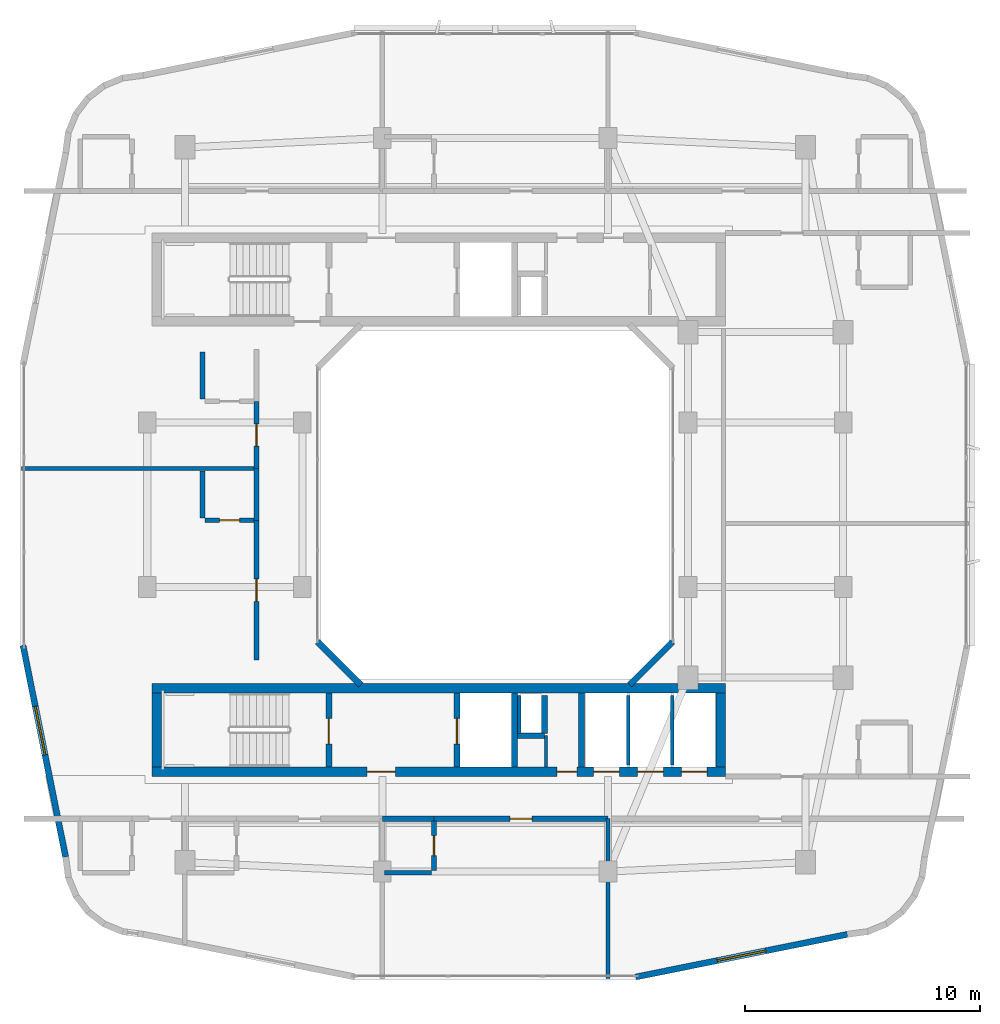
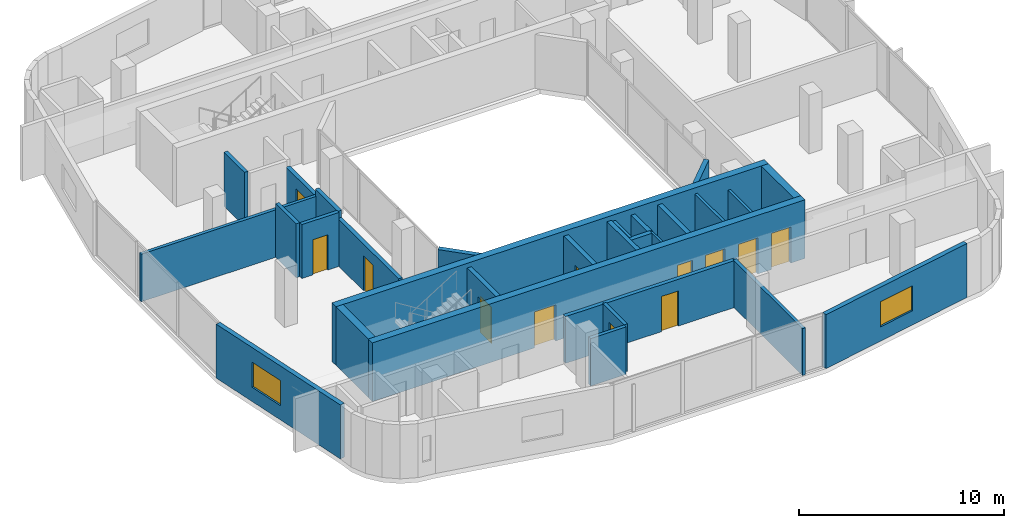
# One storey, part 7 of 14: 30 walls, 12 doors, 2 windows, 14 openings.
"""IFC4 building model written with IfcOpenShell, lengths in metres."""

import ifcopenshell
import ifcopenshell.guid

model = None  # the IFC model being written
_history = None  # IfcOwnerHistory: only IFC2X3 demands one
_inside = {}  # id of a spatial element -> (the spatial element, [elements in it])
_under = {}  # id of a project, library or spatial element -> (it, [spatial elements below it])
_declared = {}  # id of a project -> (the project, [libraries it declares])
_typed = {}  # id of a type object -> (the type object, [elements of that type])
_made_of = {}  # id of a material, layer set ... -> (it, [elements and type objects made of it])


def new_model(schema):
    """Start an empty IFC model of exactly this schema.

    Asked for "IFC4X3", IfcOpenShell would pick the latest addendum, in which some entities
    have other attributes; the version numbers below select the first issue.
    IFC2X3 requires an IfcOwnerHistory on every rooted entity: one is made here for all.
    """
    global model, _history
    if schema == "IFC4X3":
        model = ifcopenshell.file(schema_version=(4, 3, 0, 0))
    else:
        model = ifcopenshell.file(schema=schema)
    _inside.clear()
    _under.clear()
    _declared.clear()
    _typed.clear()
    _made_of.clear()
    _history = None
    if model.schema == "IFC2X3":
        org = make("IfcOrganization", Name="unknown")
        user = make(
            "IfcPersonAndOrganization",
            ThePerson=make("IfcPerson", FamilyName="unknown"),
            TheOrganization=org,
        )
        app = make(
            "IfcApplication",
            ApplicationDeveloper=org,
            Version="unknown",
            ApplicationFullName="unknown",
            ApplicationIdentifier="unknown",
        )
        _history = make(
            "IfcOwnerHistory",
            OwningUser=user,
            OwningApplication=app,
            ChangeAction="ADDED",
            CreationDate=0,
        )
    return model


def make(cls, **values):
    """One entity of the class cls with the attributes given. An attribute that is None is left unset."""
    return model.create_entity(
        cls, **{name: value for name, value in values.items() if value is not None}
    )


def rooted(cls, **values):
    """An entity with a GlobalId (a new one), such as an element, a storey or a relation."""
    return make(cls, GlobalId=ifcopenshell.guid.new(), OwnerHistory=_history, **values)


def si_unit(unit_type, name, prefix=None):
    """IfcSIUnit, for example si_unit("LENGTHUNIT", "METRE", prefix="MILLI")."""
    return make("IfcSIUnit", UnitType=unit_type, Prefix=prefix, Name=name)


def derived_unit(unit_type, elements):
    """IfcDerivedUnit: a product of units, each with its exponent."""
    return make(
        "IfcDerivedUnit",
        Elements=[
            make("IfcDerivedUnitElement", Unit=unit, Exponent=power)
            for unit, power in elements
        ],
        UnitType=unit_type,
    )


def assignment(units):
    """IfcUnitAssignment: the units of a project."""
    return None if units is None else make("IfcUnitAssignment", Units=units)


def point(xyz):
    """IfcCartesianPoint."""
    return None if xyz is None else make("IfcCartesianPoint", Coordinates=xyz)


def direction(xyz):
    """IfcDirection."""
    return None if xyz is None else make("IfcDirection", DirectionRatios=xyz)


def frame(location, z_axis=None, x_axis=None):
    """IfcAxis2Placement3D, a coordinate frame: its origin and axes. An axis left out is left unset."""
    return make(
        "IfcAxis2Placement3D",
        Location=point(location),
        Axis=direction(z_axis),
        RefDirection=direction(x_axis),
    )


def frame_2d(location, x_axis=None):
    """IfcAxis2Placement2D, a coordinate frame in the plane: its origin and x axis."""
    return make(
        "IfcAxis2Placement2D", Location=point(location), RefDirection=direction(x_axis)
    )


def origin():
    """The frame at (0, 0, 0) with its axes left unset."""
    return frame((0.0, 0.0, 0.0))


def place(relative_to, where):
    """IfcLocalPlacement: puts the frame where relative to a parent placement (None: the world)."""
    return make(
        "IfcLocalPlacement", PlacementRelTo=relative_to, RelativePlacement=where
    )


def context(
    kind, dimensions, precision=None, world=None, true_north=None, identifier=None
):
    """IfcGeometricRepresentationContext, for example the 3D "Model" context."""
    return make(
        "IfcGeometricRepresentationContext",
        ContextIdentifier=identifier,
        ContextType=kind,
        CoordinateSpaceDimension=dimensions,
        Precision=precision,
        WorldCoordinateSystem=world,
        TrueNorth=true_north,
    )


def subcontext(parent, identifier, kind, view, scale=None):
    """IfcGeometricRepresentationSubContext, for example "Body" below "Model"."""
    return make(
        "IfcGeometricRepresentationSubContext",
        ContextIdentifier=identifier,
        ContextType=kind,
        ParentContext=parent,
        TargetScale=scale,
        TargetView=view,
    )


def project(units=None, contexts=None):
    """IfcProject with its units and contexts."""
    return rooted(
        "IfcProject",
        Name="project",
        RepresentationContexts=contexts,
        UnitsInContext=assignment(units),
    )


def spatial(cls, under=None, at=None, **own):
    """A site, building, storey or space (cls), placed at a placement, below another one or the project."""
    s = rooted(cls, ObjectPlacement=at, **own)
    if under is not None:
        _under.setdefault(under.id(), (under, []))[1].append(s)
    return s


def profile(cls, at=None, kind="AREA", **sizes):
    """A parametric profile (cls). Its sizes go by their IFC names, for example OverallWidth=200.0."""
    return make(cls, ProfileType=kind, Position=at, **sizes)


def rectangle(**sizes):
    """IfcRectangleProfileDef."""
    return profile("IfcRectangleProfileDef", **sizes)


def extrude(swept, where, along, depth):
    """IfcExtrudedAreaSolid: the profile swept, set in the frame where, extruded along a direction by depth."""
    return make(
        "IfcExtrudedAreaSolid",
        SweptArea=swept,
        Position=where,
        ExtrudedDirection=direction(along),
        Depth=depth,
    )


def shape(context_of_items, identifier, shape_type, items):
    """IfcShapeRepresentation: the items that make up one representation, for example the "Body"."""
    return make(
        "IfcShapeRepresentation",
        ContextOfItems=context_of_items,
        RepresentationIdentifier=identifier,
        RepresentationType=shape_type,
        Items=items,
    )


def material(Name=None, Category=None):
    """IfcMaterial."""
    return make("IfcMaterial", Name=Name, Category=Category)


def layer(
    of_material, thickness, ventilated=None, Name=None, Category=None, Priority=None
):
    """IfcMaterialLayer: one layer of a wall or slab, of a material (None: an air gap)."""
    return make(
        "IfcMaterialLayer",
        Material=of_material,
        LayerThickness=thickness,
        IsVentilated=ventilated,
        Name=Name,
        Category=Category,
        Priority=Priority,
    )


def layer_set(layers, Name=None):
    """IfcMaterialLayerSet."""
    return make("IfcMaterialLayerSet", MaterialLayers=layers, LayerSetName=Name)


def made_of(thing, what):
    """Note that an element or type object is made of a material, layer set ...; save() writes the relation."""
    if what is not None:
        _made_of.setdefault(what.id(), (what, []))[1].append(thing)
    return thing


def type_object(cls, material=None, **own):
    """A type object (cls), such as IfcWallType, which elements share."""
    return made_of(rooted(cls, **own), material)


def element(
    cls,
    number,
    at=None,
    inside=None,
    cuts=None,
    type_object=None,
    material=None,
    context=None,
    identifier="Body",
    shape_type=None,
    held_by="IfcProductDefinitionShape",
    body=None,
    shapes=None,
    **own,
):
    """One element of the class cls, such as IfcWall. Its Tag is "e" and its number.

    at: its placement. inside: the storey or other place that contains it. cuts: it is an
    opening in that element (IfcRelVoidsElement). A single representation is given by context,
    identifier, shape_type and body (its items); several are given by shapes. held_by: the class
    of the entity that holds the representations. save() writes the other relations.
    """
    e = rooted(cls, Tag="e%d" % number, ObjectPlacement=at, **own)
    if body is not None:
        shapes = [shape(context, identifier, shape_type, body)]
    if shapes is not None:
        e.Representation = make(held_by, Representations=shapes)
    if inside is not None:
        _inside.setdefault(inside.id(), (inside, []))[1].append(e)
    if cuts is not None:
        rooted(
            "IfcRelVoidsElement", RelatingBuildingElement=cuts, RelatedOpeningElement=e
        )
    if type_object is not None:
        _typed.setdefault(type_object.id(), (type_object, []))[1].append(e)
    return made_of(e, material)


def fill(opening, filler):
    """IfcRelFillsElement: the door or window that sits in an opening."""
    return rooted(
        "IfcRelFillsElement",
        RelatingOpeningElement=opening,
        RelatedBuildingElement=filler,
    )


def aggregate(whole, parts):
    """IfcRelAggregates: a whole, such as a stair, and the parts it consists of."""
    return rooted("IfcRelAggregates", RelatingObject=whole, RelatedObjects=parts)


def save(model, path):
    """Write the relations noted so far, then the file.

    IfcRelAggregates (storeys below a building ...), IfcRelContainedInSpatialStructure (elements
    in a storey), IfcRelDefinesByType, IfcRelAssociatesMaterial and IfcRelDeclares: one each for
    every whole, place, type object, material and project.
    """
    for whole, parts in _under.values():
        aggregate(whole, parts)
    for where, things in _inside.values():
        rooted(
            "IfcRelContainedInSpatialStructure",
            RelatedElements=things,
            RelatingStructure=where,
        )
    for kind, things in _typed.values():
        rooted("IfcRelDefinesByType", RelatedObjects=things, RelatingType=kind)
    for what, things in _made_of.values():
        rooted("IfcRelAssociatesMaterial", RelatedObjects=things, RelatingMaterial=what)
    for by, libraries in _declared.values():
        rooted("IfcRelDeclares", RelatingContext=by, RelatedDefinitions=libraries)
    model.write(path)


model = new_model("IFC4")

# Units and contexts
model_context = context("Model", 3, precision=1e-05, world=origin(), true_north=direction((0.0, 1.0)))
body_context = subcontext(model_context, "Body", "Model", "MODEL_VIEW")
ifc_project = project(units=[si_unit("LENGTHUNIT", "METRE"), si_unit("AREAUNIT", "SQUARE_METRE"), si_unit("VOLUMEUNIT", "CUBIC_METRE"), si_unit("PLANEANGLEUNIT", "RADIAN"), si_unit("MASSUNIT", "GRAM", prefix="KILO"), derived_unit("THERMALTRANSMITTANCEUNIT", [(si_unit("POWERUNIT", "WATT"), 1), (si_unit("LENGTHUNIT", "METRE"), -2), (si_unit("THERMODYNAMICTEMPERATUREUNIT", "KELVIN"), -1)])], contexts=[model_context])

# Site, building, storey
site_placement = place(None, origin())
site = spatial("IfcSite", under=ifc_project, at=site_placement, CompositionType="ELEMENT")
building_placement = place(site_placement, origin())
building = spatial("IfcBuilding", under=site, at=building_placement, Name="Kivonza Crest Hotel", CompositionType="ELEMENT")
storey_placement = place(building_placement, frame((0.0, 0.0, 145.0)))
storey = spatial("IfcBuildingStorey", under=building, at=storey_placement, Name="L39", CompositionType="ELEMENT", Elevation=145.0)

# Walls
ifc_material_1 = material(Name="High-density acoustic masonry inter-tenancy wall", Category="masonry")
ifc_layer_1 = layer(ifc_material_1, 0.179931640625)
ifc_layer_set_1 = layer_set([ifc_layer_1], Name="High-density acoustic masonry inter-tenancy wall")
wall_type_1 = type_object("IfcWallType", Name="WL-ACOU-180", PredefinedType="SOLIDWALL", material=ifc_layer_set_1)
wall_1_placement = place(storey_placement, frame((25.800048828125, 4.860107421875, 0.0), z_axis=(0.0, 0.0, 1.0), x_axis=(0.0, 1.0, 0.0)))
element("IfcWall", 1, at=wall_1_placement, inside=storey, type_object=wall_type_1, Name="L39 interior partition WA-L39-T1S-DIV3", PredefinedType="SOLIDWALL", context=body_context, shape_type="SweptSolid", body=[
    extrude(rectangle(XDim=6.789794921875, YDim=0.179931640625, at=frame_2d((3.39501953125, 0.0))), origin(), (0.0, 0.0, 1.0), 2.794921875),
])
wall_2_placement = place(storey_placement, frame((0.860107421875, 26.5400390625, 0.0), z_axis=(0.0, 0.0, 1.0), x_axis=(1.0, 0.0, 0.0)))
element("IfcWall", 2, at=wall_2_placement, inside=storey, type_object=wall_type_1, Name="L39 interior partition WA-L39-T1W-DIV1", PredefinedType="SOLIDWALL", context=body_context, shape_type="SweptSolid", body=[
    extrude(rectangle(XDim=9.989990234375, YDim=0.179931640625, at=frame_2d((4.9951171875, 0.0))), origin(), (0.0, 0.0, 1.0), 2.8349609375),
])
ifc_material_2 = material(Name="Autoclaved aerated concrete blockwork", Category="masonry")
ifc_layer_2 = layer(ifc_material_2, 0.219970703125)
ifc_layer_set_2 = layer_set([ifc_layer_2], Name="Autoclaved aerated concrete blockwork")
wall_type_2 = type_object("IfcWallType", Name="WL-ACOU-220", PredefinedType="SOLIDWALL", material=ifc_layer_set_2)
wall_3_placement = place(storey_placement, frame((16.199951171875, 11.64990234375, 0.0), z_axis=(0.0, 0.0, 1.0), x_axis=(1.0, 0.0, 0.0)))
element("IfcWall", 3, at=wall_3_placement, inside=storey, type_object=wall_type_2, Name="L39 interior partition WA-L39-S06-BCORR", PredefinedType="SOLIDWALL", context=body_context, shape_type="SweptSolid", body=[
    extrude(rectangle(XDim=2.199951171875, YDim=0.219970703125, at=frame_2d((1.10009765625, 0.0))), origin(), (0.0, 0.0, 1.0), 2.794921875),
])

# Wall, opening, door
wall_4_placement = place(storey_placement, frame((18.39990234375, 11.64990234375, 0.0), z_axis=(0.0, 0.0, 1.0), x_axis=(1.0, 0.0, 0.0)))
wall_4 = element("IfcWall", 4, at=wall_4_placement, inside=storey, type_object=wall_type_2, Name="L39 interior partition WA-L39-S06-MCORR", PredefinedType="SOLIDWALL", context=body_context, shape_type="SweptSolid", body=[
    extrude(rectangle(XDim=7.400146484375, YDim=0.219970703125, at=frame_2d((3.7001953125, 0.0))), origin(), (0.0, 0.0, 1.0), 2.794921875),
])
opening_1_placement = place(wall_4_placement, frame((3.22509765625, 0.0, 0.0)))
opening_1 = element("IfcOpeningElement", 5, at=opening_1_placement, cuts=wall_4, Name="Opening DU-60", PredefinedType="OPENING", context=body_context, shape_type="SweptSolid", body=[
    extrude(rectangle(XDim=0.949951171875, YDim=2.10009765625, at=frame_2d((0.47509765625, 1.050048828125))), frame((0.0, 0.1201171875, 0.0), z_axis=(0.0, -1.0, 0.0), x_axis=(1.0, 0.0, 0.0)), (0.0, 0.0, 1.0), 0.239990234375),
])
ifc_material_3 = material(Name="Hardwood timber oak", Category="wood")
door_type_1 = type_object("IfcDoorType", Name="DR-UNIT-950", OperationType="NOTDEFINED", PredefinedType="DOOR", material=ifc_material_3)
door_1_placement = place(opening_1_placement, frame((0.949951171875, 0.0, 0.0), z_axis=(0.0, 0.0, 1.0), x_axis=(-1.0, 0.0, 0.0)))
door_1 = element("IfcDoor", 6, at=door_1_placement, inside=storey, type_object=door_type_1, Name="L39 S06 guest unit entrance fire door", OperationType="SINGLE_SWING_RIGHT", OverallHeight=2.10009765625, OverallWidth=0.949951171875, PredefinedType="DOOR", context=body_context, shape_type="SweptSolid", body=[
    extrude(rectangle(XDim=0.949951171875, YDim=2.10009765625, at=frame_2d((0.47509765625, 1.050048828125))), frame((0.0, 0.02490234375, 0.0), z_axis=(0.0, -1.0, 0.0), x_axis=(1.0, 0.0, 0.0)), (0.0, 0.0, 1.0), 0.050048828125),
])
fill(opening_1, door_1)

# Wall
wall_5_placement = place(storey_placement, frame((10.85009765625, 24.340087890625, 0.0), z_axis=(0.0, 0.0, 1.0), x_axis=(0.0, 1.0, 0.0)))
element("IfcWall", 7, at=wall_5_placement, inside=storey, type_object=wall_type_2, Name="L39 interior partition WA-L39-W07-BCORR", PredefinedType="SOLIDWALL", context=body_context, shape_type="SweptSolid", body=[
    extrude(rectangle(XDim=2.199951171875, YDim=0.219970703125, at=frame_2d((1.10009765625, 0.0))), origin(), (0.0, 0.0, 1.0), 3.219970703125),
])

# Wall, opening, door
wall_6_placement = place(storey_placement, frame((10.85009765625, 18.39990234375, 0.0), z_axis=(0.0, 0.0, 1.0), x_axis=(0.0, 1.0, 0.0)))
wall_6 = element("IfcWall", 8, at=wall_6_placement, inside=storey, type_object=wall_type_2, Name="L39 interior partition WA-L39-W07-MCORR", PredefinedType="SOLIDWALL", context=body_context, shape_type="SweptSolid", body=[
    extrude(rectangle(XDim=5.940185546875, YDim=0.219970703125, at=frame_2d((2.97021484375, 0.0))), origin(), (0.0, 0.0, 1.0), 2.794921875),
])
opening_2_placement = place(wall_6_placement, frame((2.4951171875, 0.0, 0.0)))
opening_2 = element("IfcOpeningElement", 9, at=opening_2_placement, cuts=wall_6, Name="Opening DU-60", PredefinedType="OPENING", context=body_context, shape_type="SweptSolid", body=[
    extrude(rectangle(XDim=0.949951171875, YDim=2.10009765625, at=frame_2d((0.47509765625, 1.050048828125))), frame((0.0, 0.1201171875, 0.0), z_axis=(0.0, -1.0, 0.0), x_axis=(1.0, 0.0, 0.0)), (0.0, 0.0, 1.0), 0.239990234375),
])
door_2_placement = place(opening_2_placement, origin())
door_2 = element("IfcDoor", 10, at=door_2_placement, inside=storey, type_object=door_type_1, Name="L39 W07 guest unit entrance fire door", OperationType="SINGLE_SWING_LEFT", OverallHeight=2.10009765625, OverallWidth=0.949951171875, PredefinedType="DOOR", context=body_context, shape_type="SweptSolid", body=[
    extrude(rectangle(XDim=0.949951171875, YDim=2.10009765625, at=frame_2d((0.47509765625, 1.050048828125))), frame((0.0, 0.02490234375, 0.0), z_axis=(0.0, -1.0, 0.0), x_axis=(1.0, 0.0, 0.0)), (0.0, 0.0, 1.0), 0.050048828125),
])
fill(opening_2, door_2)

wall_7_placement = place(storey_placement, frame((10.85009765625, 26.5400390625, 0.0), z_axis=(0.0, 0.0, 1.0), x_axis=(0.0, 1.0, 0.0)))
wall_7 = element("IfcWall", 11, at=wall_7_placement, inside=storey, type_object=wall_type_2, Name="L39 interior partition WA-L39-W08-MCORR", PredefinedType="SOLIDWALL", context=body_context, shape_type="SweptSolid", body=[
    extrude(rectangle(XDim=2.85986328125, YDim=0.219970703125, at=frame_2d((1.429931640625, 0.0))), origin(), (0.0, 0.0, 1.0), 2.794921875),
])
opening_3_placement = place(wall_7_placement, frame((0.955078125, 0.0, 0.0)))
opening_3 = element("IfcOpeningElement", 12, at=opening_3_placement, cuts=wall_7, Name="Opening DU-60", PredefinedType="OPENING", context=body_context, shape_type="SweptSolid", body=[
    extrude(rectangle(XDim=0.949951171875, YDim=2.10009765625, at=frame_2d((0.47509765625, 1.050048828125))), frame((0.0, 0.1201171875, 0.0), z_axis=(0.0, -1.0, 0.0), x_axis=(1.0, 0.0, 0.0)), (0.0, 0.0, 1.0), 0.239990234375),
])
door_3_placement = place(opening_3_placement, origin())
door_3 = element("IfcDoor", 13, at=door_3_placement, inside=storey, type_object=door_type_1, Name="L39 W08 guest unit entrance fire door", OperationType="SINGLE_SWING_RIGHT", OverallHeight=2.10009765625, OverallWidth=0.949951171875, PredefinedType="DOOR", context=body_context, shape_type="SweptSolid", body=[
    extrude(rectangle(XDim=0.949951171875, YDim=2.10009765625, at=frame_2d((0.47509765625, 1.050048828125))), frame((0.0, 0.02490234375, 0.0), z_axis=(0.0, -1.0, 0.0), x_axis=(1.0, 0.0, 0.0)), (0.0, 0.0, 1.0), 0.050048828125),
])
fill(opening_3, door_3)

# Wall, openings, doors
ifc_material_4 = material(Name="Concrete C50/60", Category="concrete")
ifc_layer_3 = layer(ifc_material_4, 0.39990234375)
ifc_layer_set_3 = layer_set([ifc_layer_3], Name="Concrete C50/60")
wall_type_3 = type_object("IfcWallType", Name="WL-CORE-400", PredefinedType="SHEAR", material=ifc_layer_set_3)
wall_8_placement = place(storey_placement, frame((6.39990234375, 13.639892578125, 0.0), z_axis=(0.0, 0.0, 1.0), x_axis=(1.0, 0.0, 0.0)))
wall_8 = element("IfcWall", 14, at=wall_8_placement, inside=storey, type_object=wall_type_3, Name="Core wall T1-S South L39", PredefinedType="SHEAR", context=body_context, shape_type="SweptSolid", body=[
    extrude(rectangle(XDim=24.400146484375, YDim=0.39990234375, at=frame_2d((12.2001953125, 0.0))), origin(), (0.0, 0.0, 1.0), 3.5),
])
opening_4_placement = place(wall_8_placement, frame((9.14990234375, 0.0, 0.0)))
opening_4 = element("IfcOpeningElement", 15, at=opening_4_placement, cuts=wall_8, Name="Opening DF-60", PredefinedType="OPENING", context=body_context, shape_type="SweptSolid", body=[
    extrude(rectangle(XDim=1.199951171875, YDim=2.14990234375, at=frame_2d((0.60009765625, 1.074951171875))), frame((0.0, 0.2099609375, 0.0), z_axis=(0.0, -1.0, 0.0), x_axis=(1.0, 0.0, 0.0)), (0.0, 0.0, 1.0), 0.419921875),
])
opening_5_placement = place(wall_8_placement, frame((17.219970703125, 0.0, 0.0)))
opening_5 = element("IfcOpeningElement", 16, at=opening_5_placement, cuts=wall_8, Name="Opening DF-60R", PredefinedType="OPENING", context=body_context, shape_type="SweptSolid", body=[
    extrude(rectangle(XDim=0.85009765625, YDim=2.10009765625, at=frame_2d((0.425048828125, 1.050048828125))), frame((0.0, 0.2099609375, 0.0), z_axis=(0.0, -1.0, 0.0), x_axis=(1.0, 0.0, 0.0)), (0.0, 0.0, 1.0), 0.419921875),
])
opening_6_placement = place(wall_8_placement, frame((18.782958984375, 0.0, 0.0)))
opening_6 = element("IfcOpeningElement", 17, at=opening_6_placement, cuts=wall_8, Name="Opening LD-120", PredefinedType="OPENING", context=body_context, shape_type="SweptSolid", body=[
    extrude(rectangle(XDim=1.10009765625, YDim=2.14990234375, at=frame_2d((0.550048828125, 1.074951171875))), frame((0.0, 0.2099609375, 0.0), z_axis=(0.0, -1.0, 0.0), x_axis=(1.0, 0.0, 0.0)), (0.0, 0.0, 1.0), 0.419921875),
])
opening_7_placement = place(wall_8_placement, frame((20.64990234375, 0.0, 0.0)))
opening_7 = element("IfcOpeningElement", 18, at=opening_7_placement, cuts=wall_8, Name="Opening LD-120", PredefinedType="OPENING", context=body_context, shape_type="SweptSolid", body=[
    extrude(rectangle(XDim=1.10009765625, YDim=2.14990234375, at=frame_2d((0.550048828125, 1.074951171875))), frame((0.0, 0.2099609375, 0.0), z_axis=(0.0, -1.0, 0.0), x_axis=(1.0, 0.0, 0.0)), (0.0, 0.0, 1.0), 0.419921875),
])
opening_8_placement = place(wall_8_placement, frame((22.51708984375, 0.0, 0.0)))
opening_8 = element("IfcOpeningElement", 19, at=opening_8_placement, cuts=wall_8, Name="Opening LD-120", PredefinedType="OPENING", context=body_context, shape_type="SweptSolid", body=[
    extrude(rectangle(XDim=1.10009765625, YDim=2.14990234375, at=frame_2d((0.550048828125, 1.074951171875))), frame((0.0, 0.2099609375, 0.0), z_axis=(0.0, -1.0, 0.0), x_axis=(1.0, 0.0, 0.0)), (0.0, 0.0, 1.0), 0.419921875),
])
door_type_2 = type_object("IfcDoorType", Name="DR-FD60-1200", OperationType="NOTDEFINED", PredefinedType="DOOR", material=ifc_material_3)
door_4_placement = place(opening_4_placement, frame((1.199951171875, 0.0, 0.0), z_axis=(0.0, 0.0, 1.0), x_axis=(-1.0, 0.0, 0.0)))
door_4 = element("IfcDoor", 20, at=door_4_placement, inside=storey, type_object=door_type_2, Name="L39 T1-S firefighting lobby fire door", OperationType="SINGLE_SWING_LEFT", OverallHeight=2.14990234375, OverallWidth=1.199951171875, PredefinedType="DOOR", context=body_context, shape_type="SweptSolid", body=[
    extrude(rectangle(XDim=1.199951171875, YDim=2.14990234375, at=frame_2d((0.60009765625, 1.074951171875))), frame((0.0, 0.02490234375, 0.0), z_axis=(0.0, -1.0, 0.0), x_axis=(1.0, 0.0, 0.0)), (0.0, 0.0, 1.0), 0.050048828125),
])
fill(opening_4, door_4)
door_type_3 = type_object("IfcDoorType", Name="DR-FD60-850", OperationType="NOTDEFINED", PredefinedType="DOOR", material=ifc_material_3)
door_5_placement = place(opening_5_placement, frame((0.85009765625, 0.0, 0.0), z_axis=(0.0, 0.0, 1.0), x_axis=(-1.0, 0.0, 0.0)))
door_5 = element("IfcDoor", 21, at=door_5_placement, inside=storey, type_object=door_type_3, Name="L39 T1-S core room door", OperationType="SINGLE_SWING_RIGHT", OverallHeight=2.10009765625, OverallWidth=0.85009765625, PredefinedType="DOOR", context=body_context, shape_type="SweptSolid", body=[
    extrude(rectangle(XDim=0.85009765625, YDim=2.10009765625, at=frame_2d((0.425048828125, 1.050048828125))), frame((0.0, 0.02490234375, 0.0), z_axis=(0.0, -1.0, 0.0), x_axis=(1.0, 0.0, 0.0)), (0.0, 0.0, 1.0), 0.050048828125),
])
fill(opening_5, door_5)
ifc_material_5 = material(Name="Stainless steel", Category="steel")
door_type_4 = type_object("IfcDoorType", Name="DR-LD120-1100", OperationType="NOTDEFINED", PredefinedType="DOOR", material=ifc_material_5)
door_6_placement = place(opening_6_placement, frame((1.10009765625, 0.0, 0.0), z_axis=(0.0, 0.0, 1.0), x_axis=(-1.0, 0.0, 0.0)))
door_6 = element("IfcDoor", 22, at=door_6_placement, inside=storey, type_object=door_type_4, Name="L39 PL-T1-H1 passenger lift sliding landing door", OperationType="DOUBLE_DOOR_SLIDING", OverallHeight=2.14990234375, OverallWidth=1.10009765625, PredefinedType="DOOR", context=body_context, shape_type="SweptSolid", body=[
    extrude(rectangle(XDim=1.10009765625, YDim=2.14990234375, at=frame_2d((0.550048828125, 1.074951171875))), frame((0.0, 0.02490234375, 0.0), z_axis=(0.0, -1.0, 0.0), x_axis=(1.0, 0.0, 0.0)), (0.0, 0.0, 1.0), 0.050048828125),
])
fill(opening_6, door_6)
door_7_placement = place(opening_7_placement, frame((1.10009765625, 0.0, 0.0), z_axis=(0.0, 0.0, 1.0), x_axis=(-1.0, 0.0, 0.0)))
door_7 = element("IfcDoor", 23, at=door_7_placement, inside=storey, type_object=door_type_4, Name="L39 PL-T1-H2 passenger lift sliding landing door", OperationType="DOUBLE_DOOR_SLIDING", OverallHeight=2.14990234375, OverallWidth=1.10009765625, PredefinedType="DOOR", context=body_context, shape_type="SweptSolid", body=[
    extrude(rectangle(XDim=1.10009765625, YDim=2.14990234375, at=frame_2d((0.550048828125, 1.074951171875))), frame((0.0, 0.02490234375, 0.0), z_axis=(0.0, -1.0, 0.0), x_axis=(1.0, 0.0, 0.0)), (0.0, 0.0, 1.0), 0.050048828125),
])
fill(opening_7, door_7)
door_8_placement = place(opening_8_placement, frame((1.10009765625, 0.0, 0.0), z_axis=(0.0, 0.0, 1.0), x_axis=(-1.0, 0.0, 0.0)))
door_8 = element("IfcDoor", 24, at=door_8_placement, inside=storey, type_object=door_type_4, Name="L39 PL-T1-H3 passenger lift sliding landing door", OperationType="DOUBLE_DOOR_SLIDING", OverallHeight=2.14990234375, OverallWidth=1.10009765625, PredefinedType="DOOR", context=body_context, shape_type="SweptSolid", body=[
    extrude(rectangle(XDim=1.10009765625, YDim=2.14990234375, at=frame_2d((0.550048828125, 1.074951171875))), frame((0.0, 0.02490234375, 0.0), z_axis=(0.0, -1.0, 0.0), x_axis=(1.0, 0.0, 0.0)), (0.0, 0.0, 1.0), 0.050048828125),
])
fill(opening_8, door_8)

# Walls
wall_9_placement = place(storey_placement, frame((6.39990234375, 17.199951171875, 0.0), z_axis=(0.0, 0.0, 1.0), x_axis=(1.0, 0.0, 0.0)))
element("IfcWall", 25, at=wall_9_placement, inside=storey, type_object=wall_type_3, Name="Core wall T1-S North L39", PredefinedType="SHEAR", context=body_context, shape_type="SweptSolid", body=[
    extrude(rectangle(XDim=24.400146484375, YDim=0.39990234375, at=frame_2d((12.2001953125, 0.0))), origin(), (0.0, 0.0, 1.0), 3.5),
])
for number, where, z_axis, x_axis, name in (
    (26, (6.60009765625, 13.840087890625, 0.0), (0.0, 0.0, 1.0), (0.0, 1.0, 0.0), "Core wall T1-S West L39"),
    (27, (30.60009765625, 13.840087890625, 0.0), (0.0, 0.0, 1.0), (0.0, 1.0, 0.0), "Core wall T1-S East L39"),
):
    element("IfcWall", number, at=place(storey_placement, frame(where, z_axis=z_axis, x_axis=x_axis)), inside=storey, type_object=wall_type_3, Name=name, PredefinedType="SHEAR", context=body_context, shape_type="SweptSolid", body=[
        extrude(rectangle(XDim=3.159912109375, YDim=0.39990234375, at=frame_2d((1.580078125, 0.0))), origin(), (0.0, 0.0, 1.0), 3.5),
    ])

# Wall, opening, window
ifc_material_6 = material(Name="Precast concrete C40/50", Category="concrete")
ifc_layer_4 = layer(ifc_material_6, 0.260009765625)
ifc_layer_set_4 = layer_set([ifc_layer_4], Name="Precast concrete C40/50")
wall_type_4 = type_object("IfcWallType", Name="WL-EXT-260", PredefinedType="STANDARD", material=ifc_layer_set_4)
wall_10_placement = place(storey_placement, frame((26.97998046875, 4.916015625, 0.0), z_axis=(0.0, 0.0, 1.0), x_axis=(0.980315963543, 0.197435082048, 0.0)))
wall_10 = element("IfcWall", 28, at=wall_10_placement, inside=storey, type_object=wall_type_4, Name="L39 T1 exterior insulated wall 9", PredefinedType="STANDARD", context=body_context, shape_type="SweptSolid", body=[
    extrude(rectangle(XDim=9.1826171875, YDim=0.260009765625, at=frame_2d((4.59130859375, 0.0))), origin(), (0.0, 0.0, 1.0), 3.219970703125),
])
opening_9_placement = place(wall_10_placement, frame((3.541015625, 0.0, 0.85009765625)))
opening_9 = element("IfcOpeningElement", 29, at=opening_9_placement, cuts=wall_10, Name="Opening WN-04", PredefinedType="OPENING", context=body_context, shape_type="SweptSolid", body=[
    extrude(rectangle(XDim=2.10009765625, YDim=1.5, at=frame_2d((1.050048828125, 0.75))), frame((0.0, 0.14013671875, 0.0), z_axis=(0.0, -1.0, 0.0), x_axis=(1.0, 0.0, 0.0)), (0.0, 0.0, 1.0), 0.280029296875),
])
ifc_material_7 = material(Name="Thermally broken bronze aluminium and low-E double glazing", Category="aluminium")
window_type = type_object("IfcWindowType", Name="WN-210x150", PartitioningType="DOUBLE_PANEL_VERTICAL", PredefinedType="WINDOW", material=ifc_material_7)
window_1_placement = place(opening_9_placement, origin())
window_1 = element("IfcWindow", 30, at=window_1_placement, inside=storey, type_object=window_type, Name="L39 T1 facade window 9", OverallHeight=1.5, OverallWidth=2.10009765625, PartitioningType="SINGLE_PANEL", PredefinedType="WINDOW", context=body_context, shape_type="SweptSolid", body=[
    extrude(rectangle(XDim=2.10009765625, YDim=1.5, at=frame_2d((1.050048828125, 0.75))), frame((0.0, 0.030029296875, 0.0), z_axis=(0.0, -1.0, 0.0), x_axis=(1.0, 0.0, 0.0)), (0.0, 0.0, 1.0), 0.06005859375),
])
fill(opening_9, window_1)

wall_11_placement = place(storey_placement, frame((0.916015625, 19.02001953125, 0.0), z_axis=(0.0, 0.0, 1.0), x_axis=(0.197435082048, -0.980315963543, 0.0)))
wall_11 = element("IfcWall", 31, at=wall_11_placement, inside=storey, type_object=wall_type_4, Name="L39 T1 exterior insulated wall 36", PredefinedType="STANDARD", context=body_context, shape_type="SweptSolid", body=[
    extrude(rectangle(XDim=9.1826171875, YDim=0.260009765625, at=frame_2d((4.59130859375, 0.0))), origin(), (0.0, 0.0, 1.0), 3.219970703125),
])
opening_10_placement = place(wall_11_placement, frame((2.64697265625, 0.0, 0.85009765625)))
opening_10 = element("IfcOpeningElement", 32, at=opening_10_placement, cuts=wall_11, Name="Opening WN-04", PredefinedType="OPENING", context=body_context, shape_type="SweptSolid", body=[
    extrude(rectangle(XDim=2.10009765625, YDim=1.5, at=frame_2d((1.050048828125, 0.75))), frame((0.0, 0.14013671875, 0.0), z_axis=(0.0, -1.0, 0.0), x_axis=(1.0, 0.0, 0.0)), (0.0, 0.0, 1.0), 0.280029296875),
])
window_2_placement = place(opening_10_placement, origin())
window_2 = element("IfcWindow", 33, at=window_2_placement, inside=storey, type_object=window_type, Name="L39 T1 facade window 36", OverallHeight=1.5, OverallWidth=2.10009765625, PartitioningType="SINGLE_PANEL", PredefinedType="WINDOW", context=body_context, shape_type="SweptSolid", body=[
    extrude(rectangle(XDim=2.10009765625, YDim=1.5, at=frame_2d((1.050048828125, 0.75))), frame((0.0, 0.030029296875, 0.0), z_axis=(0.0, -1.0, 0.0), x_axis=(1.0, 0.0, 0.0)), (0.0, 0.0, 1.0), 0.06005859375),
])
fill(opening_10, window_2)

# Walls
for number, where, z_axis, x_axis, name in (
    (34, (26.721923828125, 17.337890625, 0.0), (0.0, 0.0, 1.0), (0.707059717605, 0.707153841636, 0.0), "L39 T1 light-well exterior wall 2"),
    (35, (13.444091796875, 19.172119140625, 0.0), (0.0, 0.0, 1.0), (0.707059717605, -0.707153841636, 0.0), "L39 T1 light-well exterior wall 8"),
):
    element("IfcWall", number, at=place(storey_placement, frame(where, z_axis=z_axis, x_axis=x_axis)), inside=storey, type_object=wall_type_4, Name=name, PredefinedType="STANDARD", context=body_context, shape_type="SweptSolid", body=[
        extrude(rectangle(XDim=2.59375, YDim=0.260009765625, at=frame_2d((1.296875, 0.0))), origin(), (0.0, 0.0, 1.0), 3.219970703125),
    ])
ifc_material_8 = material(Name="Concrete blockwork fire-compartment wall", Category="masonry")
ifc_layer_5 = layer(ifc_material_8, 0.25)
ifc_layer_set_5 = layer_set([ifc_layer_5], Name="Concrete blockwork fire-compartment wall")
wall_type_5 = type_object("IfcWallType", Name="WL-FIRE-250", PredefinedType="SOLIDWALL", material=ifc_layer_set_5)
wall_12_placement = place(storey_placement, frame((23.10009765625, 15.280029296875, 0.0), z_axis=(0.0, 0.0, 1.0), x_axis=(0.0, 1.0, 0.0)))
element("IfcWall", 36, at=wall_12_placement, inside=storey, type_object=wall_type_5, Name="L39 interior partition WA-L39-T1-S-MEPR-E", PredefinedType="SOLIDWALL", context=body_context, shape_type="SweptSolid", body=[
    extrude(rectangle(XDim=1.619873046875, YDim=0.25, at=frame_2d((0.81005859375, 0.0))), origin(), (0.0, 0.0, 1.0), 3.219970703125),
])
wall_13_placement = place(storey_placement, frame((21.949951171875, 15.179931640625, 0.0), z_axis=(0.0, 0.0, 1.0), x_axis=(1.0, 0.0, 0.0)))
element("IfcWall", 37, at=wall_13_placement, inside=storey, type_object=wall_type_5, Name="L39 interior partition WA-L39-T1-S-MEPR-H", PredefinedType="SOLIDWALL", context=body_context, shape_type="SweptSolid", body=[
    extrude(rectangle(XDim=1.150146484375, YDim=0.25, at=frame_2d((0.5751953125, 0.0))), origin(), (0.0, 0.0, 1.0), 3.219970703125),
])
ifc_material_9 = material(Name="Metal-stud gypsum board partition", Category="gypsum")
ifc_layer_6 = layer(ifc_material_9, 0.125)
ifc_layer_set_6 = layer_set([ifc_layer_6], Name="Metal-stud gypsum board partition")
wall_type_6 = type_object("IfcWallType", Name="WL-PART-125", PredefinedType="PARTITIONING", material=ifc_layer_set_6)
wall_14_placement = place(storey_placement, frame((23.159912109375, 13.840087890625, 0.0), z_axis=(0.0, 0.0, 1.0), x_axis=(0.0, 1.0, 0.0)))
element("IfcWall", 38, at=wall_14_placement, inside=storey, type_object=wall_type_6, Name="L39 interior partition WP-L39-T1-S-SV1V", PredefinedType="PARTITIONING", context=body_context, shape_type="SweptSolid", body=[
    extrude(rectangle(XDim=1.33984375, YDim=0.125, at=frame_2d((0.669921875, 0.0))), origin(), (0.0, 0.0, 1.0), 3.219970703125),
])
ifc_material_10 = material(Name="Twin-stud acoustic gypsum board partition", Category="gypsum")
ifc_layer_7 = layer(ifc_material_10, 0.14990234375)
ifc_layer_set_7 = layer_set([ifc_layer_7], Name="Twin-stud acoustic gypsum board partition")
wall_type_7 = type_object("IfcWallType", Name="WL-PART-150", PredefinedType="PARTITIONING", material=ifc_layer_set_7)
wall_15_placement = place(storey_placement, frame((22.030029296875, 15.280029296875, 0.0), z_axis=(0.0, 0.0, 1.0), x_axis=(0.0, 1.0, 0.0)))
element("IfcWall", 39, at=wall_15_placement, inside=storey, type_object=wall_type_7, Name="L39 interior partition WA-L39-T1-S-MEPR-W", PredefinedType="PARTITIONING", context=body_context, shape_type="SweptSolid", body=[
    extrude(rectangle(XDim=1.619873046875, YDim=0.14990234375, at=frame_2d((0.81005859375, 0.0))), origin(), (0.0, 0.0, 1.0), 3.219970703125),
])
wall_16_placement = place(storey_placement, frame((26.6669921875, 13.93994140625, 0.0), z_axis=(0.0, 0.0, 1.0), x_axis=(0.0, 1.0, 0.0)))
element("IfcWall", 40, at=wall_16_placement, inside=storey, type_object=wall_type_7, Name="L39 interior partition WP-L39-T1-S-BSH-1", PredefinedType="PARTITIONING", context=body_context, shape_type="SweptSolid", body=[
    extrude(rectangle(XDim=2.9599609375, YDim=0.14990234375, at=frame_2d((1.47998046875, 0.0))), origin(), (0.0, 0.0, 1.0), 3.219970703125),
])
wall_17_placement = place(storey_placement, frame((28.532958984375, 13.93994140625, 0.0), z_axis=(0.0, 0.0, 1.0), x_axis=(0.0, 1.0, 0.0)))
element("IfcWall", 41, at=wall_17_placement, inside=storey, type_object=wall_type_7, Name="L39 interior partition WP-L39-T1-S-BSH-2", PredefinedType="PARTITIONING", context=body_context, shape_type="SweptSolid", body=[
    extrude(rectangle(XDim=2.9599609375, YDim=0.14990234375, at=frame_2d((1.47998046875, 0.0))), origin(), (0.0, 0.0, 1.0), 2.794921875),
])

# Wall, opening, door
ifc_material_11 = material(Name="Moisture-resistant plumbing chase partition wall", Category="gypsum")
ifc_layer_8 = layer(ifc_material_11, 0.199951171875)
ifc_layer_set_8 = layer_set([ifc_layer_8], Name="Moisture-resistant plumbing chase partition wall")
wall_type_8 = type_object("IfcWallType", Name="WL-PLUMB-200", PredefinedType="PLUMBINGWALL", material=ifc_layer_set_8)
wall_18_placement = place(storey_placement, frame((18.39990234375, 9.449951171875, 0.0), z_axis=(0.0, 0.0, 1.0), x_axis=(0.0, 1.0, 0.0)))
wall_18 = element("IfcWall", 42, at=wall_18_placement, inside=storey, type_object=wall_type_8, Name="L39 interior partition WW-L39-S06-BV", PredefinedType="PLUMBINGWALL", context=body_context, shape_type="SweptSolid", body=[
    extrude(rectangle(XDim=2.10009765625, YDim=0.199951171875, at=frame_2d((1.050048828125, 0.0))), origin(), (0.0, 0.0, 1.0), 2.8349609375),
])
opening_11_placement = place(wall_18_placement, frame((0.625, 0.0, 0.0)))
opening_11 = element("IfcOpeningElement", 43, at=opening_11_placement, cuts=wall_18, Name="Opening DI-85", PredefinedType="OPENING", context=body_context, shape_type="SweptSolid", body=[
    extrude(rectangle(XDim=0.85009765625, YDim=2.10009765625, at=frame_2d((0.425048828125, 1.050048828125))), frame((0.0, 0.10986328125, 0.0), z_axis=(0.0, -1.0, 0.0), x_axis=(1.0, 0.0, 0.0)), (0.0, 0.0, 1.0), 0.219970703125),
])
door_type_5 = type_object("IfcDoorType", Name="DR-INT-850", OperationType="NOTDEFINED", PredefinedType="DOOR", material=ifc_material_3)
door_9_placement = place(opening_11_placement, frame((0.85009765625, 0.0, 0.0), z_axis=(0.0, 0.0, 1.0), x_axis=(-1.0, 0.0, 0.0)))
door_9 = element("IfcDoor", 44, at=door_9_placement, inside=storey, type_object=door_type_5, Name="L39 S06 en-suite bathroom door", OperationType="SINGLE_SWING_LEFT", OverallHeight=2.10009765625, OverallWidth=0.85009765625, PredefinedType="DOOR", context=body_context, shape_type="SweptSolid", body=[
    extrude(rectangle(XDim=0.85009765625, YDim=2.10009765625, at=frame_2d((0.425048828125, 1.050048828125))), frame((0.0, 0.02490234375, 0.0), z_axis=(0.0, -1.0, 0.0), x_axis=(1.0, 0.0, 0.0)), (0.0, 0.0, 1.0), 0.050048828125),
])
fill(opening_11, door_9)

# Wall
wall_19_placement = place(storey_placement, frame((16.300048828125, 9.35009765625, 0.0), z_axis=(0.0, 0.0, 1.0), x_axis=(1.0, 0.0, 0.0)))
element("IfcWall", 45, at=wall_19_placement, inside=storey, type_object=wall_type_8, Name="L39 interior partition WW-L39-S06-BH", PredefinedType="PLUMBINGWALL", context=body_context, shape_type="SweptSolid", body=[
    extrude(rectangle(XDim=2.0, YDim=0.199951171875, at=frame_2d((1.0, 0.0))), origin(), (0.0, 0.0, 1.0), 2.8349609375),
])

# Wall, opening, door
wall_20_placement = place(storey_placement, frame((8.64990234375, 24.340087890625, 0.0), z_axis=(0.0, 0.0, 1.0), x_axis=(1.0, 0.0, 0.0)))
wall_20 = element("IfcWall", 46, at=wall_20_placement, inside=storey, type_object=wall_type_8, Name="L39 interior partition WW-L39-W07-BH", PredefinedType="PLUMBINGWALL", context=body_context, shape_type="SweptSolid", body=[
    extrude(rectangle(XDim=2.10009765625, YDim=0.199951171875, at=frame_2d((1.050048828125, 0.0))), origin(), (0.0, 0.0, 1.0), 3.219970703125),
])
opening_12_placement = place(wall_20_placement, frame((0.625, 0.0, 0.0)))
opening_12 = element("IfcOpeningElement", 47, at=opening_12_placement, cuts=wall_20, Name="Opening DI-85", PredefinedType="OPENING", context=body_context, shape_type="SweptSolid", body=[
    extrude(rectangle(XDim=0.85009765625, YDim=2.10009765625, at=frame_2d((0.425048828125, 1.050048828125))), frame((0.0, 0.10986328125, 0.0), z_axis=(0.0, -1.0, 0.0), x_axis=(1.0, 0.0, 0.0)), (0.0, 0.0, 1.0), 0.219970703125),
])
door_10_placement = place(opening_12_placement, frame((0.85009765625, 0.0, 0.0), z_axis=(0.0, 0.0, 1.0), x_axis=(-1.0, 0.0, 0.0)))
door_10 = element("IfcDoor", 48, at=door_10_placement, inside=storey, type_object=door_type_5, Name="L39 W07 en-suite bathroom door", OperationType="SINGLE_SWING_RIGHT", OverallHeight=2.10009765625, OverallWidth=0.85009765625, PredefinedType="DOOR", context=body_context, shape_type="SweptSolid", body=[
    extrude(rectangle(XDim=0.85009765625, YDim=2.10009765625, at=frame_2d((0.425048828125, 1.050048828125))), frame((0.0, 0.02490234375, 0.0), z_axis=(0.0, -1.0, 0.0), x_axis=(1.0, 0.0, 0.0)), (0.0, 0.0, 1.0), 0.050048828125),
])
fill(opening_12, door_10)

# Walls
for number, where, z_axis, x_axis, name in (
    (49, (8.550048828125, 24.43994140625, 0.0), (0.0, 0.0, 1.0), (0.0, 1.0, 0.0), "L39 interior partition WW-L39-W07-BV"),
    (50, (8.550048828125, 29.5, 0.0), (0.0, 0.0, 1.0), (0.0, 1.0, 0.0), "L39 interior partition WW-L39-W08-BV"),
):
    element("IfcWall", number, at=place(storey_placement, frame(where, z_axis=z_axis, x_axis=x_axis)), inside=storey, type_object=wall_type_8, Name=name, PredefinedType="PLUMBINGWALL", context=body_context, shape_type="SweptSolid", body=[
        extrude(rectangle(XDim=2.0, YDim=0.199951171875, at=frame_2d((1.0, 0.0))), origin(), (0.0, 0.0, 1.0), 3.219970703125),
    ])

# Wall, opening, door
ifc_layer_9 = layer(ifc_material_4, 0.25)
ifc_layer_set_9 = layer_set([ifc_layer_9], Name="Concrete C50/60")
wall_type_9 = type_object("IfcWallType", Name="WL-SHAFT-250", PredefinedType="STANDARD", material=ifc_layer_set_9)
wall_21_placement = place(storey_placement, frame((13.925048828125, 13.840087890625, 0.0), z_axis=(0.0, 0.0, 1.0), x_axis=(0.0, 1.0, 0.0)))
wall_21 = element("IfcWall", 51, at=wall_21_placement, inside=storey, type_object=wall_type_9, Name="Core shaft wall T1-S STAIR L39", PredefinedType="STANDARD", context=body_context, shape_type="SweptSolid", body=[
    extrude(rectangle(XDim=3.159912109375, YDim=0.25, at=frame_2d((1.580078125, 0.0))), origin(), (0.0, 0.0, 1.0), 3.219970703125),
])
opening_13_placement = place(wall_21_placement, frame((0.97998046875, 0.0, 0.0)))
opening_13 = element("IfcOpeningElement", 52, at=opening_13_placement, cuts=wall_21, Name="Opening DF-120", PredefinedType="OPENING", context=body_context, shape_type="SweptSolid", body=[
    extrude(rectangle(XDim=1.10009765625, YDim=2.14990234375, at=frame_2d((0.550048828125, 1.074951171875))), frame((0.0, 0.135009765625, 0.0), z_axis=(0.0, -1.0, 0.0), x_axis=(1.0, 0.0, 0.0)), (0.0, 0.0, 1.0), 0.27001953125),
])
ifc_material_12 = material(Name="Galvanised steel", Category="steel")
door_type_6 = type_object("IfcDoorType", Name="DR-FD120-1100", OperationType="NOTDEFINED", PredefinedType="DOOR", material=ifc_material_12)
door_11_placement = place(opening_13_placement, frame((1.10009765625, 0.0, 0.0), z_axis=(0.0, 0.0, 1.0), x_axis=(-1.0, 0.0, 0.0)))
door_11 = element("IfcDoor", 53, at=door_11_placement, inside=storey, type_object=door_type_6, Name="L39 T1-S stair fire door", OperationType="SINGLE_SWING_RIGHT", OverallHeight=2.14990234375, OverallWidth=1.10009765625, PredefinedType="DOOR", context=body_context, shape_type="SweptSolid", body=[
    extrude(rectangle(XDim=1.10009765625, YDim=2.14990234375, at=frame_2d((0.550048828125, 1.074951171875))), frame((0.0, 0.02490234375, 0.0), z_axis=(0.0, -1.0, 0.0), x_axis=(1.0, 0.0, 0.0)), (0.0, 0.0, 1.0), 0.050048828125),
])
fill(opening_13, door_11)

wall_22_placement = place(storey_placement, frame((19.375, 13.840087890625, 0.0), z_axis=(0.0, 0.0, 1.0), x_axis=(0.0, 1.0, 0.0)))
wall_22 = element("IfcWall", 54, at=wall_22_placement, inside=storey, type_object=wall_type_9, Name="Core shaft wall T1-S FFL-W L39", PredefinedType="STANDARD", context=body_context, shape_type="SweptSolid", body=[
    extrude(rectangle(XDim=3.159912109375, YDim=0.25, at=frame_2d((1.580078125, 0.0))), origin(), (0.0, 0.0, 1.0), 3.219970703125),
])
opening_14_placement = place(wall_22_placement, frame((0.97998046875, 0.0, 0.0)))
opening_14 = element("IfcOpeningElement", 55, at=opening_14_placement, cuts=wall_22, Name="Opening LD-120", PredefinedType="OPENING", context=body_context, shape_type="SweptSolid", body=[
    extrude(rectangle(XDim=1.10009765625, YDim=2.14990234375, at=frame_2d((0.550048828125, 1.074951171875))), frame((0.0, 0.135009765625, 0.0), z_axis=(0.0, -1.0, 0.0), x_axis=(1.0, 0.0, 0.0)), (0.0, 0.0, 1.0), 0.27001953125),
])
door_12_placement = place(opening_14_placement, origin())
door_12 = element("IfcDoor", 56, at=door_12_placement, inside=storey, type_object=door_type_4, Name="L39 FFL-T1-S firefighting lift sliding landing door", OperationType="DOUBLE_DOOR_SLIDING", OverallHeight=2.14990234375, OverallWidth=1.10009765625, PredefinedType="DOOR", context=body_context, shape_type="SweptSolid", body=[
    extrude(rectangle(XDim=1.10009765625, YDim=2.14990234375, at=frame_2d((0.550048828125, 1.074951171875))), frame((0.0, 0.02490234375, 0.0), z_axis=(0.0, -1.0, 0.0), x_axis=(1.0, 0.0, 0.0)), (0.0, 0.0, 1.0), 0.050048828125),
])
fill(opening_14, door_12)

# Walls
for number, where, z_axis, x_axis, name in (
    (57, (21.824951171875, 13.840087890625, 0.0), (0.0, 0.0, 1.0), (0.0, 1.0, 0.0), "Core shaft wall T1-S FFL-E L39"),
    (58, (24.675048828125, 13.840087890625, 0.0), (0.0, 0.0, 1.0), (0.0, 1.0, 0.0), "Core shaft wall T1-S BANK-W L39"),
):
    element("IfcWall", number, at=place(storey_placement, frame(where, z_axis=z_axis, x_axis=x_axis)), inside=storey, type_object=wall_type_9, Name=name, PredefinedType="STANDARD", context=body_context, shape_type="SweptSolid", body=[
        extrude(rectangle(XDim=3.159912109375, YDim=0.25, at=frame_2d((1.580078125, 0.0))), origin(), (0.0, 0.0, 1.0), 3.219970703125),
    ])

save(model, "model.ifc")
